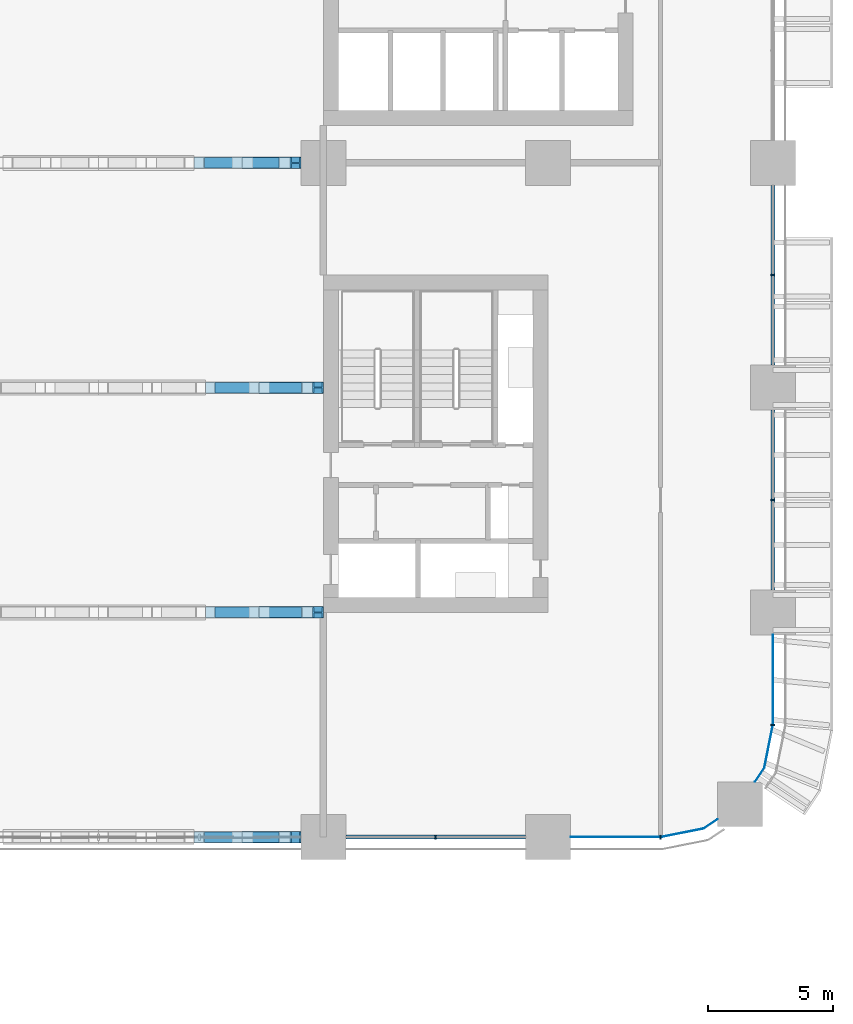
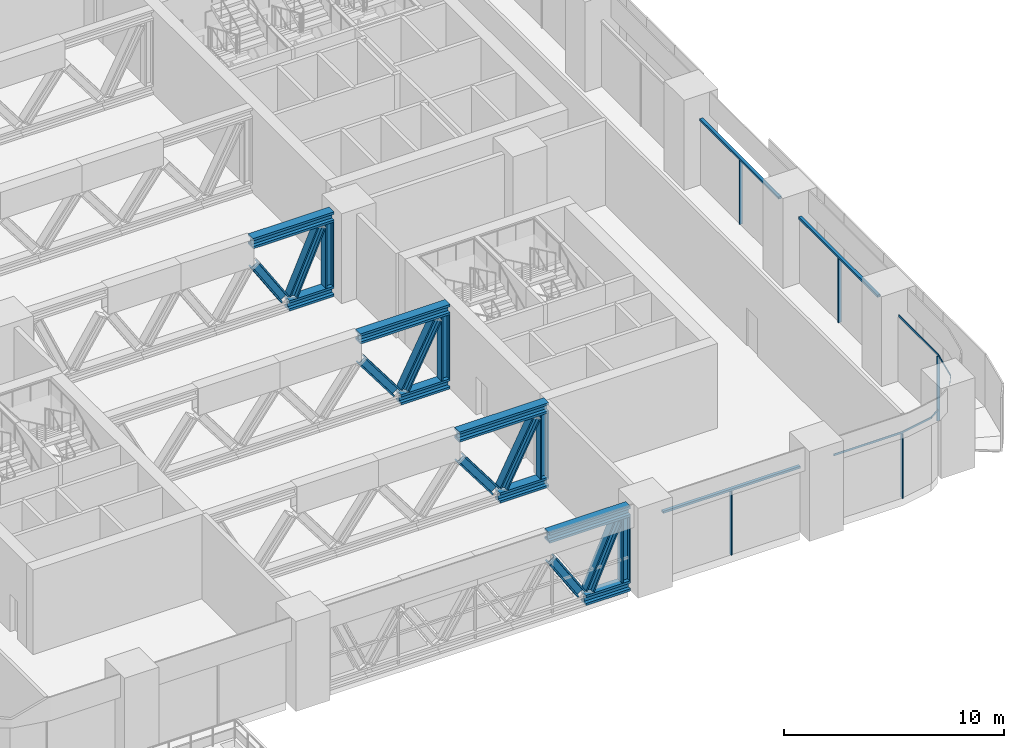
# One storey, part 5 of 35: 30 members, 5 elements without a shape of their own.
"""IFC4 building model written with IfcOpenShell, lengths in metres."""

from ifc_helpers import new_model, si_unit, direction, frame, origin, origin_2d, place, context, subcontext, project, spatial, polyline, rectangle, i_section, outline, extrude, material, material_profile, profile_set, type_object, element, aggregate, save


model = new_model("IFC4")

# Units and contexts
model_context = context("Model", 3, precision=1e-05, world=origin(), true_north=direction((0.0, 1.0)))
body_context = subcontext(model_context, "Body", "Model", "MODEL_VIEW")
ifc_project = project(units=[si_unit("LENGTHUNIT", "METRE"), si_unit("AREAUNIT", "SQUARE_METRE"), si_unit("VOLUMEUNIT", "CUBIC_METRE"), si_unit("PLANEANGLEUNIT", "RADIAN"), si_unit("MASSUNIT", "GRAM", prefix="KILO")], contexts=[model_context])

# Site, building, storey
site_placement = place(None, origin())
site = spatial("IfcSite", under=ifc_project, at=site_placement, CompositionType="ELEMENT")
building_placement = place(site_placement, origin())
building = spatial("IfcBuilding", under=site, at=building_placement, Name="Tessera Arch", CompositionType="ELEMENT")
storey_placement = place(building_placement, frame((0.0, 0.0, 26.0)))
storey = spatial("IfcBuildingStorey", under=building, at=storey_placement, Name="L04", CompositionType="ELEMENT", Elevation=26.0)

# Curtain wall, member
ifc_material_1 = material(Name="CW7 curtain wall")
curtain_wall_type = type_object("IfcCurtainWallType", Name="CW7 curtain wall", PredefinedType="NOTDEFINED", material=ifc_material_1)
curtain_wall_1_placement = place(storey_placement, origin())
curtain_wall_1 = element("IfcCurtainWall", 1, at=curtain_wall_1_placement, inside=storey, type_object=curtain_wall_type, Name="CW7 curtain wall S0.0/2 L04", PredefinedType="NOTDEFINED")
ifc_material_2 = material(Name="Anodised aluminium pale metal", Category="aluminium")
ifc_material_profile_1 = material_profile(ifc_material_2, rectangle(XDim=0.159912109375, YDim=0.06005859375, at=origin_2d()), Name="AL 60x160")
ifc_profile_set_1 = profile_set([ifc_material_profile_1], Name="Anodised aluminium pale metal")
member_type_1 = type_object("IfcMemberType", Name="CW7 mullion", PredefinedType="MULLION", material=ifc_profile_set_1)
member_1_placement = place(storey_placement, frame((40.5, 0.0, 0.0), z_axis=(0.0, 0.0, 1.0), x_axis=(0.0, 1.0, 0.0)))
member_1 = element("IfcMember", 2, at=member_1_placement, type_object=member_type_1, Name="CW7 mullion S0.0/2 1", PredefinedType="MULLION", context=body_context, shape_type="SweptSolid", body=[
    extrude(rectangle(XDim=0.159912109375, YDim=0.06005859375, at=origin_2d()), origin(), (0.0, 0.0, 1.0), 3.580078125),
])

curtain_wall_2_placement = place(storey_placement, origin())
curtain_wall_2 = element("IfcCurtainWall", 3, at=curtain_wall_2_placement, inside=storey, type_object=curtain_wall_type, Name="CW7 curtain wall S0.0/3 L04", PredefinedType="NOTDEFINED")
member_2_placement = place(storey_placement, frame((49.5, 0.0, 0.0), z_axis=(0.0, 0.0, 1.0), x_axis=(0.0, 1.0, 0.0)))
member_2 = element("IfcMember", 4, at=member_2_placement, type_object=member_type_1, Name="CW7 mullion S0.0/3 1", PredefinedType="MULLION", context=body_context, shape_type="SweptSolid", body=[
    extrude(rectangle(XDim=0.159912109375, YDim=0.06005859375, at=origin_2d()), origin(), (0.0, 0.0, 1.0), 3.580078125),
])

curtain_wall_3_placement = place(storey_placement, origin())
curtain_wall_3 = element("IfcCurtainWall", 5, at=curtain_wall_3_placement, inside=storey, type_object=curtain_wall_type, Name="CW7 curtain wall E54.0/0 L04", PredefinedType="NOTDEFINED")
member_3_placement = place(storey_placement, frame((54.0, 4.5, 0.0), z_axis=(0.0, 0.0, 1.0), x_axis=(-1.0, 0.0, 0.0)))
member_3 = element("IfcMember", 6, at=member_3_placement, type_object=member_type_1, Name="CW7 mullion E54.0/0 1", PredefinedType="MULLION", context=body_context, shape_type="SweptSolid", body=[
    extrude(rectangle(XDim=0.159912109375, YDim=0.06005859375, at=origin_2d()), origin(), (0.0, 0.0, 1.0), 3.580078125),
])

curtain_wall_4_placement = place(storey_placement, origin())
curtain_wall_4 = element("IfcCurtainWall", 7, at=curtain_wall_4_placement, inside=storey, type_object=curtain_wall_type, Name="CW7 curtain wall E54.0/1 L04", PredefinedType="NOTDEFINED")
member_4_placement = place(storey_placement, frame((54.0, 13.5, 0.0), z_axis=(0.0, 0.0, 1.0), x_axis=(-1.0, 0.0, 0.0)))
member_4 = element("IfcMember", 8, at=member_4_placement, type_object=member_type_1, Name="CW7 mullion E54.0/1 1", PredefinedType="MULLION", context=body_context, shape_type="SweptSolid", body=[
    extrude(rectangle(XDim=0.159912109375, YDim=0.06005859375, at=origin_2d()), origin(), (0.0, 0.0, 1.0), 3.580078125),
])

curtain_wall_5_placement = place(storey_placement, origin())
curtain_wall_5 = element("IfcCurtainWall", 9, at=curtain_wall_5_placement, inside=storey, type_object=curtain_wall_type, Name="CW7 curtain wall E54.0/2 L04", PredefinedType="NOTDEFINED")
member_5_placement = place(storey_placement, frame((54.0, 22.5, 0.0), z_axis=(0.0, 0.0, 1.0), x_axis=(-1.0, 0.0, 0.0)))
member_5 = element("IfcMember", 10, at=member_5_placement, type_object=member_type_1, Name="CW7 mullion E54.0/2 1", PredefinedType="MULLION", context=body_context, shape_type="SweptSolid", body=[
    extrude(rectangle(XDim=0.159912109375, YDim=0.06005859375, at=origin_2d()), origin(), (0.0, 0.0, 1.0), 3.580078125),
])

# Member
ifc_material_3 = material(Name="Anodised aluminium pale metal", Category="aluminium")
ifc_material_profile_2 = material_profile(ifc_material_3, rectangle(XDim=0.159912109375, YDim=0.1201171875, at=origin_2d()), Name="AL 160x120")
ifc_profile_set_2 = profile_set([ifc_material_profile_2], Name="Anodised aluminium pale metal")
member_type_2 = type_object("IfcMemberType", Name="CW7 transom", PredefinedType="USERDEFINED", material=ifc_profile_set_2)
member_6_placement = place(storey_placement, frame((36.89990234375, 0.0, 3.639892578125), z_axis=(1.0, 0.0, 0.0), x_axis=(0.0, 1.0, 0.0)))
member_6 = element("IfcMember", 11, at=member_6_placement, type_object=member_type_2, Name="CW7 transom S0.0/2 1.1", ObjectType="TRANSOM", PredefinedType="USERDEFINED", context=body_context, shape_type="SweptSolid", body=[
    extrude(rectangle(XDim=0.159912109375, YDim=0.1201171875, at=origin_2d()), origin(), (0.0, 0.0, 1.0), 7.2001953125),
])

aggregate(curtain_wall_1, [member_1, member_6])

member_7_placement = place(storey_placement, frame((0.0, 0.0, 3.580078125)))
member_7 = element("IfcMember", 12, at=member_7_placement, type_object=member_type_2, Name="CW7 transom S0.0/3 1", ObjectType="TRANSOM", PredefinedType="USERDEFINED", context=body_context, shape_type="SweptSolid", body=[
    extrude(outline(polyline([(49.4990234375, 0.010009765625), (45.89990234375, 0.010009765625), (45.89990234375, -0.010009765625), (49.5009765625, -0.010009765625), (51.22607421875, 0.3330078125), (51.78759765625, 0.70849609375), (51.7763671875, 0.72509765625), (51.21826171875, 0.351806640625), (49.4990234375, 0.010009765625)])), origin(), (0.0, 0.0, 1.0), 0.119873046875),
])

aggregate(curtain_wall_2, [member_2, member_7])

member_8_placement = place(storey_placement, frame((0.0, 0.0, 3.580078125)))
member_8 = element("IfcMember", 13, at=member_8_placement, type_object=member_type_2, Name="CW7 transom E54.0/0 1", ObjectType="TRANSOM", PredefinedType="USERDEFINED", context=body_context, shape_type="SweptSolid", body=[
    extrude(outline(polyline([(53.648193359375, 2.78173828125), (53.27490234375, 2.2236328125), (53.29150390625, 2.21240234375), (53.6669921875, 2.77392578125), (54.010009765625, 4.4990234375), (54.010009765625, 8.10009765625), (53.989990234375, 8.10009765625), (53.989990234375, 4.5009765625), (53.648193359375, 2.78173828125)])), origin(), (0.0, 0.0, 1.0), 0.119873046875),
])

aggregate(curtain_wall_3, [member_3, member_8])

member_9_placement = place(storey_placement, frame((54.0, 9.89990234375, 3.639892578125), z_axis=(0.0, 1.0, 0.0), x_axis=(-1.0, 0.0, 0.0)))
member_9 = element("IfcMember", 14, at=member_9_placement, type_object=member_type_2, Name="CW7 transom E54.0/1 1.1", ObjectType="TRANSOM", PredefinedType="USERDEFINED", context=body_context, shape_type="SweptSolid", body=[
    extrude(rectangle(XDim=0.159912109375, YDim=0.1201171875, at=origin_2d()), origin(), (0.0, 0.0, 1.0), 7.2001953125),
])

aggregate(curtain_wall_4, [member_4, member_9])

member_10_placement = place(storey_placement, frame((54.0, 18.89990234375, 3.639892578125), z_axis=(0.0, 1.0, 0.0), x_axis=(-1.0, 0.0, 0.0)))
member_10 = element("IfcMember", 15, at=member_10_placement, type_object=member_type_2, Name="CW7 transom E54.0/2 1.1", ObjectType="TRANSOM", PredefinedType="USERDEFINED", context=body_context, shape_type="SweptSolid", body=[
    extrude(rectangle(XDim=0.159912109375, YDim=0.1201171875, at=origin_2d()), origin(), (0.0, 0.0, 1.0), 7.2001953125),
])

aggregate(curtain_wall_5, [member_5, member_10])

# Members
ifc_material_4 = material(Name="Steel A992 Gr50", Category="steel")
ifc_material_profile_3 = material_profile(ifc_material_4, i_section(OverallWidth=0.45458984375, OverallDepth=0.56884765625, WebThickness=0.077880859375, FlangeThickness=0.124755859375, at=origin_2d()), Name="W14x730")
ifc_profile_set_3 = profile_set([ifc_material_profile_3], Name="Steel A992 Gr50")
member_type_3 = type_object("IfcMemberType", Name="Truss chord W14x730", PredefinedType="CHORD", material=ifc_profile_set_3)
member_11_placement = place(storey_placement, frame((30.832763671875, 0.0, 4.41552734375), z_axis=(1.0, 0.0, 0.0), x_axis=(0.0, 1.0, 0.0)))
element("IfcMember", 16, at=member_11_placement, inside=storey, type_object=member_type_3, Name="Transfer truss top chord 4", PredefinedType="CHORD", context=body_context, shape_type="SweptSolid", body=[
    extrude(i_section(OverallWidth=0.45458984375, OverallDepth=0.56884765625, WebThickness=0.077880859375, FlangeThickness=0.124755859375, at=origin_2d()), origin(), (0.0, 0.0, 1.0), 4.26708984375),
])
member_12_placement = place(storey_placement, frame((32.749267578125, 0.0, 0.284423828125), z_axis=(1.0, 0.0, 0.0), x_axis=(0.0, 1.0, 0.0)))
element("IfcMember", 17, at=member_12_placement, inside=storey, type_object=member_type_3, Name="Transfer truss bottom chord 5", PredefinedType="CHORD", context=body_context, shape_type="SweptSolid", body=[
    extrude(i_section(OverallWidth=0.45458984375, OverallDepth=0.56884765625, WebThickness=0.077880859375, FlangeThickness=0.124755859375, at=origin_2d()), origin(), (0.0, 0.0, 1.0), 2.3505859375),
])
member_13_placement = place(storey_placement, frame((31.28271484375, 9.0, 4.41552734375), z_axis=(1.0, 0.0, 0.0), x_axis=(0.0, 1.0, 0.0)))
element("IfcMember", 18, at=member_13_placement, inside=storey, type_object=member_type_3, Name="Transfer truss top chord 4", PredefinedType="CHORD", context=body_context, shape_type="SweptSolid", body=[
    extrude(i_section(OverallWidth=0.45458984375, OverallDepth=0.56884765625, WebThickness=0.077880859375, FlangeThickness=0.124755859375, at=origin_2d()), origin(), (0.0, 0.0, 1.0), 4.71728515625),
])
member_14_placement = place(storey_placement, frame((33.42431640625, 9.0, 0.284423828125), z_axis=(1.0, 0.0, 0.0), x_axis=(0.0, 1.0, 0.0)))
element("IfcMember", 19, at=member_14_placement, inside=storey, type_object=member_type_3, Name="Transfer truss bottom chord 5", PredefinedType="CHORD", context=body_context, shape_type="SweptSolid", body=[
    extrude(i_section(OverallWidth=0.45458984375, OverallDepth=0.56884765625, WebThickness=0.077880859375, FlangeThickness=0.124755859375, at=origin_2d()), origin(), (0.0, 0.0, 1.0), 2.57568359375),
])
member_15_placement = place(storey_placement, frame((31.28271484375, 18.0, 4.41552734375), z_axis=(1.0, 0.0, 0.0), x_axis=(0.0, 1.0, 0.0)))
element("IfcMember", 20, at=member_15_placement, inside=storey, type_object=member_type_3, Name="Transfer truss top chord 4", PredefinedType="CHORD", context=body_context, shape_type="SweptSolid", body=[
    extrude(i_section(OverallWidth=0.45458984375, OverallDepth=0.56884765625, WebThickness=0.077880859375, FlangeThickness=0.124755859375, at=origin_2d()), origin(), (0.0, 0.0, 1.0), 4.71728515625),
])
member_16_placement = place(storey_placement, frame((33.42431640625, 18.0, 0.284423828125), z_axis=(1.0, 0.0, 0.0), x_axis=(0.0, 1.0, 0.0)))
element("IfcMember", 21, at=member_16_placement, inside=storey, type_object=member_type_3, Name="Transfer truss bottom chord 5", PredefinedType="CHORD", context=body_context, shape_type="SweptSolid", body=[
    extrude(i_section(OverallWidth=0.45458984375, OverallDepth=0.56884765625, WebThickness=0.077880859375, FlangeThickness=0.124755859375, at=origin_2d()), origin(), (0.0, 0.0, 1.0), 2.57568359375),
])
member_17_placement = place(storey_placement, frame((30.832763671875, 27.0, 4.41552734375), z_axis=(1.0, 0.0, 0.0), x_axis=(0.0, 1.0, 0.0)))
element("IfcMember", 22, at=member_17_placement, inside=storey, type_object=member_type_3, Name="Transfer truss top chord 4", PredefinedType="CHORD", context=body_context, shape_type="SweptSolid", body=[
    extrude(i_section(OverallWidth=0.45458984375, OverallDepth=0.56884765625, WebThickness=0.077880859375, FlangeThickness=0.124755859375, at=origin_2d()), origin(), (0.0, 0.0, 1.0), 4.26708984375),
])
member_18_placement = place(storey_placement, frame((32.749267578125, 27.0, 0.284423828125), z_axis=(1.0, 0.0, 0.0), x_axis=(0.0, 1.0, 0.0)))
element("IfcMember", 23, at=member_18_placement, inside=storey, type_object=member_type_3, Name="Transfer truss bottom chord 5", PredefinedType="CHORD", context=body_context, shape_type="SweptSolid", body=[
    extrude(i_section(OverallWidth=0.45458984375, OverallDepth=0.56884765625, WebThickness=0.077880859375, FlangeThickness=0.124755859375, at=origin_2d()), origin(), (0.0, 0.0, 1.0), 2.3505859375),
])
ifc_material_5 = material(Name="Steel A992 Gr50", Category="steel")
ifc_material_profile_4 = material_profile(ifc_material_5, i_section(OverallWidth=0.424072265625, OverallDepth=0.47412109375, WebThickness=0.047607421875, FlangeThickness=0.0771484375, at=origin_2d()), Name="W14x426")
ifc_profile_set_4 = profile_set([ifc_material_profile_4], Name="Steel A992 Gr50")
member_type_4 = type_object("IfcMemberType", Name="Truss diagonal W14x426", PredefinedType="BRACE", material=ifc_profile_set_4)
member_19_placement = place(storey_placement, frame((31.042236328125, 0.0, 3.05712890625), z_axis=(0.538089832254, 0.0, -0.842887496897), x_axis=(0.0, 1.0, 0.0)))
element("IfcMember", 24, at=member_19_placement, inside=storey, type_object=member_type_4, Name="Transfer truss diagonal 7", PredefinedType="BRACE", context=body_context, shape_type="SweptSolid", body=[
    extrude(i_section(OverallWidth=0.424072265625, OverallDepth=0.47412109375, WebThickness=0.047607421875, FlangeThickness=0.0771484375, at=origin_2d()), origin(), (0.0, 0.0, 1.0), 2.78271484375),
])
member_20_placement = place(storey_placement, frame((32.973388671875, 0.0, 0.680908203125), z_axis=(0.402507504904, 0.0, 0.915416685721), x_axis=(0.0, 1.0, 0.0)))
element("IfcMember", 25, at=member_20_placement, inside=storey, type_object=member_type_4, Name="Transfer truss diagonal 8", PredefinedType="BRACE", context=body_context, shape_type="SweptSolid", body=[
    extrude(i_section(OverallWidth=0.424072265625, OverallDepth=0.47412109375, WebThickness=0.047607421875, FlangeThickness=0.0771484375, at=origin_2d()), origin(), (0.0, 0.0, 1.0), 3.646484375),
])
member_21_placement = place(storey_placement, frame((31.483154296875, 9.0, 3.043212890625), z_axis=(0.600592846889, 0.0, -0.799555021412), x_axis=(0.0, 1.0, 0.0)))
element("IfcMember", 26, at=member_21_placement, inside=storey, type_object=member_type_4, Name="Transfer truss diagonal 7", PredefinedType="BRACE", context=body_context, shape_type="SweptSolid", body=[
    extrude(i_section(OverallWidth=0.424072265625, OverallDepth=0.47412109375, WebThickness=0.047607421875, FlangeThickness=0.0771484375, at=origin_2d()), origin(), (0.0, 0.0, 1.0), 2.8984375),
])
member_22_placement = place(storey_placement, frame((33.643310546875, 9.0, 0.693359375), z_axis=(0.457173271573, 0.0, 0.889377647436), x_axis=(0.0, 1.0, 0.0)))
element("IfcMember", 27, at=member_22_placement, inside=storey, type_object=member_type_4, Name="Transfer truss diagonal 8", PredefinedType="BRACE", context=body_context, shape_type="SweptSolid", body=[
    extrude(i_section(OverallWidth=0.424072265625, OverallDepth=0.47412109375, WebThickness=0.047607421875, FlangeThickness=0.0771484375, at=origin_2d()), origin(), (0.0, 0.0, 1.0), 3.725341796875),
])
member_23_placement = place(storey_placement, frame((31.483154296875, 18.0, 3.043212890625), z_axis=(0.600592846889, 0.0, -0.799555021412), x_axis=(0.0, 1.0, 0.0)))
element("IfcMember", 28, at=member_23_placement, inside=storey, type_object=member_type_4, Name="Transfer truss diagonal 7", PredefinedType="BRACE", context=body_context, shape_type="SweptSolid", body=[
    extrude(i_section(OverallWidth=0.424072265625, OverallDepth=0.47412109375, WebThickness=0.047607421875, FlangeThickness=0.0771484375, at=origin_2d()), origin(), (0.0, 0.0, 1.0), 2.8984375),
])
member_24_placement = place(storey_placement, frame((33.643310546875, 18.0, 0.693359375), z_axis=(0.457173271573, 0.0, 0.889377647436), x_axis=(0.0, 1.0, 0.0)))
element("IfcMember", 29, at=member_24_placement, inside=storey, type_object=member_type_4, Name="Transfer truss diagonal 8", PredefinedType="BRACE", context=body_context, shape_type="SweptSolid", body=[
    extrude(i_section(OverallWidth=0.424072265625, OverallDepth=0.47412109375, WebThickness=0.047607421875, FlangeThickness=0.0771484375, at=origin_2d()), origin(), (0.0, 0.0, 1.0), 3.725341796875),
])
member_25_placement = place(storey_placement, frame((31.042236328125, 27.0, 3.05712890625), z_axis=(0.538089832254, 0.0, -0.842887496897), x_axis=(0.0, 1.0, 0.0)))
element("IfcMember", 30, at=member_25_placement, inside=storey, type_object=member_type_4, Name="Transfer truss diagonal 7", PredefinedType="BRACE", context=body_context, shape_type="SweptSolid", body=[
    extrude(i_section(OverallWidth=0.424072265625, OverallDepth=0.47412109375, WebThickness=0.047607421875, FlangeThickness=0.0771484375, at=origin_2d()), origin(), (0.0, 0.0, 1.0), 2.78271484375),
])
member_26_placement = place(storey_placement, frame((32.973388671875, 27.0, 0.680908203125), z_axis=(0.402507504904, 0.0, 0.915416685721), x_axis=(0.0, 1.0, 0.0)))
element("IfcMember", 31, at=member_26_placement, inside=storey, type_object=member_type_4, Name="Transfer truss diagonal 8", PredefinedType="BRACE", context=body_context, shape_type="SweptSolid", body=[
    extrude(i_section(OverallWidth=0.424072265625, OverallDepth=0.47412109375, WebThickness=0.047607421875, FlangeThickness=0.0771484375, at=origin_2d()), origin(), (0.0, 0.0, 1.0), 3.646484375),
])
ifc_material_6 = material(Name="Steel A992 Gr50", Category="steel")
ifc_material_profile_5 = material_profile(ifc_material_6, i_section(OverallWidth=0.411376953125, OverallDepth=0.434326171875, WebThickness=0.035888671875, FlangeThickness=0.057373046875, at=origin_2d()), Name="W14x311")
ifc_profile_set_5 = profile_set([ifc_material_profile_5], Name="Steel A992 Gr50")
member_type_5 = type_object("IfcMemberType", Name="Truss post W14x311", PredefinedType="POST", material=ifc_profile_set_5)
for number, where, z_axis, x_axis, name in (
    (32, (34.8828125, 0.0, 0.56884765625), (0.0, 0.0, 1.0), (0.0, 1.0, 0.0), "Transfer truss end post 2"),
    (33, (35.78271484375, 9.0, 0.56884765625), (0.0, 0.0, 1.0), (0.0, 1.0, 0.0), "Transfer truss end post 2"),
    (34, (35.78271484375, 18.0, 0.56884765625), (0.0, 0.0, 1.0), (0.0, 1.0, 0.0), "Transfer truss end post 2"),
    (35, (34.8828125, 27.0, 0.56884765625), (0.0, 0.0, 1.0), (0.0, 1.0, 0.0), "Transfer truss end post 2"),
):
    element("IfcMember", number, at=place(storey_placement, frame(where, z_axis=z_axis, x_axis=x_axis)), inside=storey, type_object=member_type_5, Name=name, PredefinedType="POST", context=body_context, shape_type="SweptSolid", body=[
        extrude(i_section(OverallWidth=0.411376953125, OverallDepth=0.434326171875, WebThickness=0.035888671875, FlangeThickness=0.057373046875, at=origin_2d()), origin(), (0.0, 0.0, 1.0), 3.562255859375),
    ])

save(model, "model.ifc")
